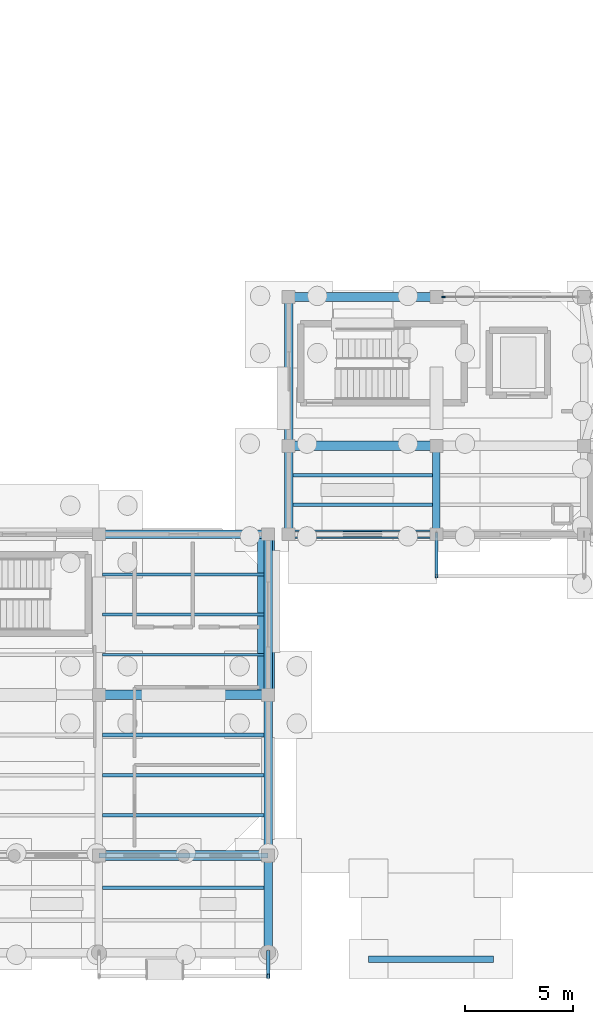
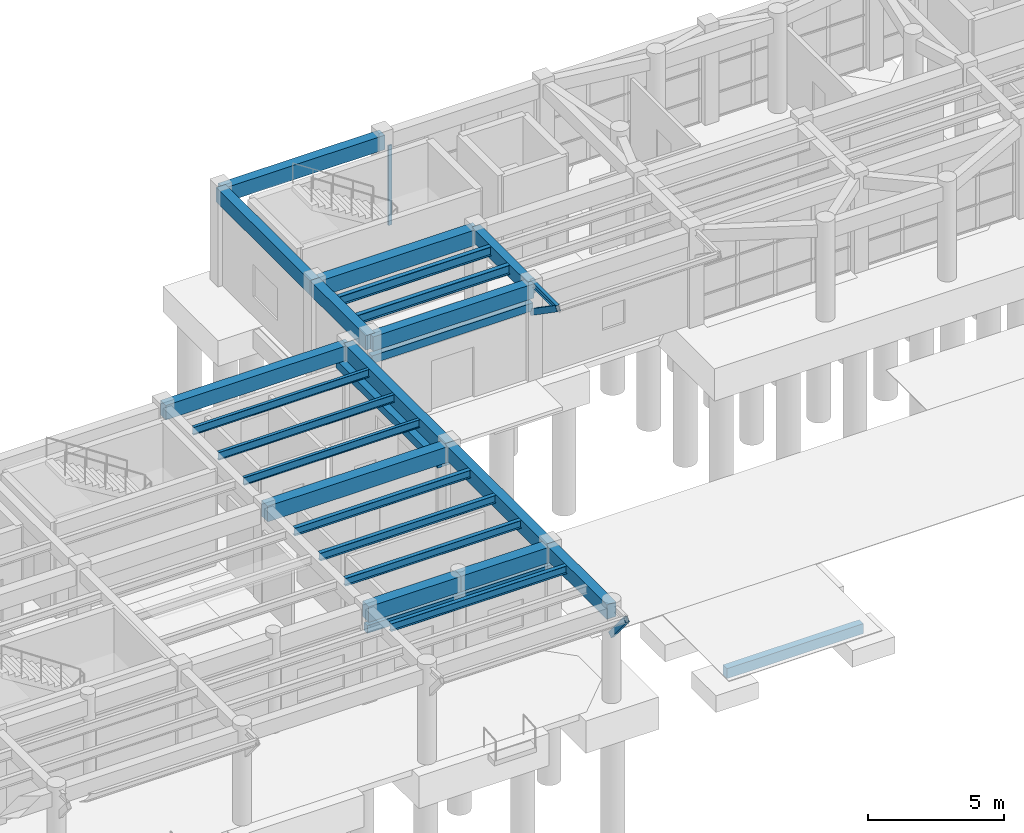
# One storey, part 9 of 41: 27 beams, 3 members, 1 element without a shape of its own.
"""IFC4 building model written with IfcOpenShell, lengths in metres."""

import ifcopenshell
import ifcopenshell.guid

model = None  # the IFC model being written
_history = None  # IfcOwnerHistory: only IFC2X3 demands one
_inside = {}  # id of a spatial element -> (the spatial element, [elements in it])
_under = {}  # id of a project, library or spatial element -> (it, [spatial elements below it])
_declared = {}  # id of a project -> (the project, [libraries it declares])
_typed = {}  # id of a type object -> (the type object, [elements of that type])
_made_of = {}  # id of a material, layer set ... -> (it, [elements and type objects made of it])


def new_model(schema):
    """Start an empty IFC model of exactly this schema.

    Asked for "IFC4X3", IfcOpenShell would pick the latest addendum, in which some entities
    have other attributes; the version numbers below select the first issue.
    IFC2X3 requires an IfcOwnerHistory on every rooted entity: one is made here for all.
    """
    global model, _history
    if schema == "IFC4X3":
        model = ifcopenshell.file(schema_version=(4, 3, 0, 0))
    else:
        model = ifcopenshell.file(schema=schema)
    _inside.clear()
    _under.clear()
    _declared.clear()
    _typed.clear()
    _made_of.clear()
    _history = None
    if model.schema == "IFC2X3":
        org = make("IfcOrganization", Name="unknown")
        user = make(
            "IfcPersonAndOrganization",
            ThePerson=make("IfcPerson", FamilyName="unknown"),
            TheOrganization=org,
        )
        app = make(
            "IfcApplication",
            ApplicationDeveloper=org,
            Version="unknown",
            ApplicationFullName="unknown",
            ApplicationIdentifier="unknown",
        )
        _history = make(
            "IfcOwnerHistory",
            OwningUser=user,
            OwningApplication=app,
            ChangeAction="ADDED",
            CreationDate=0,
        )
    return model


def make(cls, **values):
    """One entity of the class cls with the attributes given. An attribute that is None is left unset."""
    return model.create_entity(
        cls, **{name: value for name, value in values.items() if value is not None}
    )


def rooted(cls, **values):
    """An entity with a GlobalId (a new one), such as an element, a storey or a relation."""
    return make(cls, GlobalId=ifcopenshell.guid.new(), OwnerHistory=_history, **values)


def si_unit(unit_type, name, prefix=None):
    """IfcSIUnit, for example si_unit("LENGTHUNIT", "METRE", prefix="MILLI")."""
    return make("IfcSIUnit", UnitType=unit_type, Prefix=prefix, Name=name)


def assignment(units):
    """IfcUnitAssignment: the units of a project."""
    return None if units is None else make("IfcUnitAssignment", Units=units)


def point(xyz):
    """IfcCartesianPoint."""
    return None if xyz is None else make("IfcCartesianPoint", Coordinates=xyz)


def direction(xyz):
    """IfcDirection."""
    return None if xyz is None else make("IfcDirection", DirectionRatios=xyz)


def frame(location, z_axis=None, x_axis=None):
    """IfcAxis2Placement3D, a coordinate frame: its origin and axes. An axis left out is left unset."""
    return make(
        "IfcAxis2Placement3D",
        Location=point(location),
        Axis=direction(z_axis),
        RefDirection=direction(x_axis),
    )


def frame_2d(location, x_axis=None):
    """IfcAxis2Placement2D, a coordinate frame in the plane: its origin and x axis."""
    return make(
        "IfcAxis2Placement2D", Location=point(location), RefDirection=direction(x_axis)
    )


def origin():
    """The frame at (0, 0, 0) with its axes left unset."""
    return frame((0.0, 0.0, 0.0))


def origin_2d():
    """The frame at (0, 0) in the plane with its x axis left unset."""
    return frame_2d((0.0, 0.0))


def place(relative_to, where):
    """IfcLocalPlacement: puts the frame where relative to a parent placement (None: the world)."""
    return make(
        "IfcLocalPlacement", PlacementRelTo=relative_to, RelativePlacement=where
    )


def context(
    kind, dimensions, precision=None, world=None, true_north=None, identifier=None
):
    """IfcGeometricRepresentationContext, for example the 3D "Model" context."""
    return make(
        "IfcGeometricRepresentationContext",
        ContextIdentifier=identifier,
        ContextType=kind,
        CoordinateSpaceDimension=dimensions,
        Precision=precision,
        WorldCoordinateSystem=world,
        TrueNorth=true_north,
    )


def subcontext(parent, identifier, kind, view, scale=None):
    """IfcGeometricRepresentationSubContext, for example "Body" below "Model"."""
    return make(
        "IfcGeometricRepresentationSubContext",
        ContextIdentifier=identifier,
        ContextType=kind,
        ParentContext=parent,
        TargetScale=scale,
        TargetView=view,
    )


def project(units=None, contexts=None):
    """IfcProject with its units and contexts."""
    return rooted(
        "IfcProject",
        Name="project",
        RepresentationContexts=contexts,
        UnitsInContext=assignment(units),
    )


def spatial(cls, under=None, at=None, **own):
    """A site, building, storey or space (cls), placed at a placement, below another one or the project."""
    s = rooted(cls, ObjectPlacement=at, **own)
    if under is not None:
        _under.setdefault(under.id(), (under, []))[1].append(s)
    return s


def profile(cls, at=None, kind="AREA", **sizes):
    """A parametric profile (cls). Its sizes go by their IFC names, for example OverallWidth=200.0."""
    return make(cls, ProfileType=kind, Position=at, **sizes)


def rectangle(**sizes):
    """IfcRectangleProfileDef."""
    return profile("IfcRectangleProfileDef", **sizes)


def hollow_rectangle(**sizes):
    """IfcRectangleHollowProfileDef."""
    return profile("IfcRectangleHollowProfileDef", **sizes)


def i_section(**sizes):
    """IfcIShapeProfileDef."""
    return profile("IfcIShapeProfileDef", **sizes)


def extrude(swept, where, along, depth):
    """IfcExtrudedAreaSolid: the profile swept, set in the frame where, extruded along a direction by depth."""
    return make(
        "IfcExtrudedAreaSolid",
        SweptArea=swept,
        Position=where,
        ExtrudedDirection=direction(along),
        Depth=depth,
    )


def shape(context_of_items, identifier, shape_type, items):
    """IfcShapeRepresentation: the items that make up one representation, for example the "Body"."""
    return make(
        "IfcShapeRepresentation",
        ContextOfItems=context_of_items,
        RepresentationIdentifier=identifier,
        RepresentationType=shape_type,
        Items=items,
    )


def material(Name=None, Category=None):
    """IfcMaterial."""
    return make("IfcMaterial", Name=Name, Category=Category)


def layer(
    of_material, thickness, ventilated=None, Name=None, Category=None, Priority=None
):
    """IfcMaterialLayer: one layer of a wall or slab, of a material (None: an air gap)."""
    return make(
        "IfcMaterialLayer",
        Material=of_material,
        LayerThickness=thickness,
        IsVentilated=ventilated,
        Name=Name,
        Category=Category,
        Priority=Priority,
    )


def layer_set(layers, Name=None):
    """IfcMaterialLayerSet."""
    return make("IfcMaterialLayerSet", MaterialLayers=layers, LayerSetName=Name)


def material_profile(
    of_material, cross_section, Name=None, Category=None, Priority=None
):
    """IfcMaterialProfile: a cross section and its material."""
    return make(
        "IfcMaterialProfile",
        Name=Name,
        Material=of_material,
        Profile=cross_section,
        Priority=Priority,
        Category=Category,
    )


def profile_set(profiles, Name=None, composite=None):
    """IfcMaterialProfileSet."""
    return make(
        "IfcMaterialProfileSet",
        Name=Name,
        MaterialProfiles=profiles,
        CompositeProfile=composite,
    )


def made_of(thing, what):
    """Note that an element or type object is made of a material, layer set ...; save() writes the relation."""
    if what is not None:
        _made_of.setdefault(what.id(), (what, []))[1].append(thing)
    return thing


def type_object(cls, material=None, **own):
    """A type object (cls), such as IfcWallType, which elements share."""
    return made_of(rooted(cls, **own), material)


def element(
    cls,
    number,
    at=None,
    inside=None,
    cuts=None,
    type_object=None,
    material=None,
    context=None,
    identifier="Body",
    shape_type=None,
    held_by="IfcProductDefinitionShape",
    body=None,
    shapes=None,
    **own,
):
    """One element of the class cls, such as IfcWall. Its Tag is "e" and its number.

    at: its placement. inside: the storey or other place that contains it. cuts: it is an
    opening in that element (IfcRelVoidsElement). A single representation is given by context,
    identifier, shape_type and body (its items); several are given by shapes. held_by: the class
    of the entity that holds the representations. save() writes the other relations.
    """
    e = rooted(cls, Tag="e%d" % number, ObjectPlacement=at, **own)
    if body is not None:
        shapes = [shape(context, identifier, shape_type, body)]
    if shapes is not None:
        e.Representation = make(held_by, Representations=shapes)
    if inside is not None:
        _inside.setdefault(inside.id(), (inside, []))[1].append(e)
    if cuts is not None:
        rooted(
            "IfcRelVoidsElement", RelatingBuildingElement=cuts, RelatedOpeningElement=e
        )
    if type_object is not None:
        _typed.setdefault(type_object.id(), (type_object, []))[1].append(e)
    return made_of(e, material)


def aggregate(whole, parts):
    """IfcRelAggregates: a whole, such as a stair, and the parts it consists of."""
    return rooted("IfcRelAggregates", RelatingObject=whole, RelatedObjects=parts)


def save(model, path):
    """Write the relations noted so far, then the file.

    IfcRelAggregates (storeys below a building ...), IfcRelContainedInSpatialStructure (elements
    in a storey), IfcRelDefinesByType, IfcRelAssociatesMaterial and IfcRelDeclares: one each for
    every whole, place, type object, material and project.
    """
    for whole, parts in _under.values():
        aggregate(whole, parts)
    for where, things in _inside.values():
        rooted(
            "IfcRelContainedInSpatialStructure",
            RelatedElements=things,
            RelatingStructure=where,
        )
    for kind, things in _typed.values():
        rooted("IfcRelDefinesByType", RelatedObjects=things, RelatingType=kind)
    for what, things in _made_of.values():
        rooted("IfcRelAssociatesMaterial", RelatedObjects=things, RelatingMaterial=what)
    for by, libraries in _declared.values():
        rooted("IfcRelDeclares", RelatingContext=by, RelatedDefinitions=libraries)
    model.write(path)


model = new_model("IFC4")

# Units and contexts
model_context = context("Model", 3, precision=1e-05, world=origin(), true_north=direction((0.0, 1.0)))
body_context = subcontext(model_context, "Body", "Model", "MODEL_VIEW")
ifc_project = project(units=[si_unit("LENGTHUNIT", "METRE"), si_unit("AREAUNIT", "SQUARE_METRE"), si_unit("VOLUMEUNIT", "CUBIC_METRE"), si_unit("PLANEANGLEUNIT", "RADIAN"), si_unit("MASSUNIT", "GRAM", prefix="KILO")], contexts=[model_context])

# Site, building, storey
site_placement = place(None, origin())
site = spatial("IfcSite", under=ifc_project, at=site_placement, CompositionType="ELEMENT")
building_placement = place(site_placement, origin())
building = spatial("IfcBuilding", under=site, at=building_placement, Name="Candilejo Ridge Gondola Terminal", CompositionType="ELEMENT")
storey_placement = place(building_placement, origin())
storey = spatial("IfcBuildingStorey", under=building, at=storey_placement, Name="L00", CompositionType="ELEMENT", Elevation=0.0)

# Curtain wall, member
ifc_material_1 = material(Name="Anodised aluminium AA 6063-T6", Category="aluminium")
ifc_layer = layer(ifc_material_1, 0.169921875)
ifc_layer_set = layer_set([ifc_layer], Name="ARC-CW-DRUM-3400-625X359")
curtain_wall_type = type_object("IfcCurtainWallType", Name="ARC-CW-DRUM-3400-625X359", PredefinedType="NOTDEFINED", material=ifc_layer_set)
curtain_wall_placement = place(storey_placement, origin())
curtain_wall = element("IfcCurtainWall", 1, at=curtain_wall_placement, inside=storey, type_object=curtain_wall_type, Name="Curtain wall V2 L00-028", PredefinedType="NOTDEFINED")
ifc_material_2 = material(Name="Anodised aluminium AA 6063-T6", Category="aluminium")
ifc_material_profile_1 = material_profile(ifc_material_2, rectangle(XDim=0.06494140625, YDim=0.14990234375, at=origin_2d()))
ifc_profile_set_1 = profile_set([ifc_material_profile_1], Name="Anodised aluminium AA 6063-T6")
member_type_1 = type_object("IfcMemberType", Name="ARC-CW-MULLION-150", PredefinedType="MULLION", material=ifc_profile_set_1)
member_1_placement = place(storey_placement, frame((51.83251953125, 36.699951171875, 0.0), z_axis=(0.0, 0.0, 1.0), x_axis=(0.0, 1.0, 0.0)))
member_1 = element("IfcMember", 2, at=member_1_placement, type_object=member_type_1, Name="CW-62X35 mullion 1", PredefinedType="MULLION", context=body_context, shape_type="SweptSolid", body=[
    extrude(rectangle(XDim=0.06494140625, YDim=0.14990234375, at=origin_2d()), origin(), (0.0, 0.0, 1.0), 3.590087890625),
])
aggregate(curtain_wall, [member_1])

# Beams
ifc_material_3 = material(Name="Concrete f'c 35 MPa (C35/45)", Category="concrete")
ifc_material_profile_2 = material_profile(ifc_material_3, rectangle(XDim=0.300048828125, YDim=0.449951171875, at=origin_2d()))
ifc_profile_set_2 = profile_set([ifc_material_profile_2], Name="Concrete f'c 35 MPa (C35/45)")
beam_type_1 = type_object("IfcBeamType", Name="STR-BM-RC300X450", PredefinedType="BEAM", material=ifc_profile_set_2)
beam_1_placement = place(storey_placement, frame((48.35009765625, 6.0, -0.2548828125), z_axis=(1.0, 0.0, 0.0), x_axis=(0.0, 1.0, 0.0)))
element("IfcBeam", 3, at=beam_1_placement, inside=storey, type_object=beam_type_1, Name="Walkway edge beam SW-TAB", PredefinedType="BEAM", context=body_context, shape_type="SweptSolid", body=[
    extrude(rectangle(XDim=0.300048828125, YDim=0.449951171875, at=origin_2d()), origin(), (0.0, 0.0, 1.0), 5.7998046875),
])
ifc_material_4 = material(Name="Concrete f'c 35 MPa (C35/45)", Category="concrete")
ifc_material_profile_3 = material_profile(ifc_material_4, rectangle(XDim=0.35009765625, YDim=0.60009765625, at=origin_2d()))
ifc_profile_set_3 = profile_set([ifc_material_profile_3], Name="Concrete f'c 35 MPa (C35/45)")
beam_type_2 = type_object("IfcBeamType", Name="STR-BM-RC350X600", PredefinedType="BEAM", material=ifc_profile_set_3)
beam_2_placement = place(storey_placement, frame((51.5, 25.699951171875, 3.9599609375), z_axis=(0.0, 1.0, 0.0), x_axis=(-1.0, 0.0, 0.0)))
element("IfcBeam", 4, at=beam_2_placement, inside=storey, type_object=beam_type_2, Name="Beam Y V2 L00 Y05-Y06@X08", PredefinedType="BEAM", context=body_context, shape_type="SweptSolid", body=[
    extrude(rectangle(XDim=0.35009765625, YDim=0.60009765625, at=origin_2d()), origin(), (0.0, 0.0, 1.0), 4.10009765625),
])
ifc_material_5 = material(Name="Concrete f'c 35 MPa (C35/45)", Category="concrete")
ifc_material_profile_4 = material_profile(ifc_material_5, rectangle(XDim=0.449951171875, YDim=0.699951171875, at=origin_2d()))
ifc_profile_set_4 = profile_set([ifc_material_profile_4], Name="Concrete f'c 35 MPa (C35/45)")
beam_type_3 = type_object("IfcBeamType", Name="STR-BM-RC450X700", PredefinedType="BEAM", material=ifc_profile_set_4)
beam_3_placement = place(storey_placement, frame((35.85009765625, 10.800048828125, 3.909912109375), z_axis=(1.0, 0.0, 0.0), x_axis=(0.0, 1.0, 0.0)))
element("IfcBeam", 5, at=beam_3_placement, inside=storey, type_object=beam_type_3, Name="Beam X V1 L00 X05-X06@Y02", PredefinedType="BEAM", context=body_context, shape_type="SweptSolid", body=[
    extrude(rectangle(XDim=0.449951171875, YDim=0.699951171875, at=origin_2d()), origin(), (0.0, 0.0, 1.0), 3.929931640625),
])
beam_4_placement = place(storey_placement, frame((39.780029296875, 10.800048828125, 3.909912109375), z_axis=(1.0, 0.0, 0.0), x_axis=(0.0, 1.0, 0.0)))
element("IfcBeam", 6, at=beam_4_placement, inside=storey, type_object=beam_type_3, Name="Beam X V1 L00 X05-X06@Y02", PredefinedType="BEAM", context=body_context, shape_type="SweptSolid", body=[
    extrude(rectangle(XDim=0.449951171875, YDim=0.699951171875, at=origin_2d()), origin(), (0.0, 0.0, 1.0), 3.919921875),
])
beam_5_placement = place(storey_placement, frame((35.85009765625, 18.25, 3.909912109375), z_axis=(1.0, 0.0, 0.0), x_axis=(0.0, 1.0, 0.0)))
element("IfcBeam", 7, at=beam_5_placement, inside=storey, type_object=beam_type_3, Name="Beam X V1 L00 X05-X06@Y03", PredefinedType="BEAM", context=body_context, shape_type="SweptSolid", body=[
    extrude(rectangle(XDim=0.449951171875, YDim=0.699951171875, at=origin_2d()), origin(), (0.0, 0.0, 1.0), 7.849853515625),
])
beam_6_placement = place(storey_placement, frame((44.64990234375, 29.800048828125, 3.909912109375), z_axis=(1.0, 0.0, 0.0), x_axis=(0.0, 1.0, 0.0)))
element("IfcBeam", 8, at=beam_6_placement, inside=storey, type_object=beam_type_3, Name="Beam X V2 L00 X07-X08@Y06", PredefinedType="BEAM", context=body_context, shape_type="SweptSolid", body=[
    extrude(rectangle(XDim=0.449951171875, YDim=0.699951171875, at=origin_2d()), origin(), (0.0, 0.0, 1.0), 6.85009765625),
])
ifc_material_6 = material(Name="Concrete f'c 35 MPa (C35/45)", Category="concrete")
ifc_material_profile_5 = material_profile(ifc_material_6, rectangle(XDim=0.800048828125, YDim=0.35009765625, at=origin_2d()))
ifc_profile_set_5 = profile_set([ifc_material_profile_5], Name="Concrete f'c 35 MPa (C35/45)")
beam_type_4 = type_object("IfcBeamType", Name="STR-CRB-RC800X350", PredefinedType="SPANDREL", material=ifc_profile_set_5)
beam_7_placement = place(storey_placement, frame((43.60009765625, 18.25, 3.43505859375), z_axis=(0.0, 1.0, 0.0), x_axis=(-1.0, 0.0, 0.0)))
element("IfcBeam", 9, at=beam_7_placement, inside=storey, type_object=beam_type_4, Name="Seismic bridge 800 mm RC corbel seat LB-SJ1-L01", PredefinedType="SPANDREL", context=body_context, shape_type="SweptSolid", body=[
    extrude(rectangle(XDim=0.800048828125, YDim=0.35009765625, at=origin_2d()), origin(), (0.0, 0.0, 1.0), 7.449951171875),
])
ifc_material_7 = material(Name="Steel ASTM A992 Grade 50", Category="steel")
ifc_material_profile_6 = material_profile(ifc_material_7, i_section(OverallWidth=0.14599609375, OverallDepth=0.258056640625, WebThickness=0.006103515625, FlangeThickness=0.009033203125, at=origin_2d()))
ifc_profile_set_6 = profile_set([ifc_material_profile_6], Name="Steel ASTM A992 Grade 50")
beam_type_5 = type_object("IfcBeamType", Name="STR-JST-W250X33", PredefinedType="JOIST", material=ifc_profile_set_6)
beam_8_placement = place(storey_placement, frame((51.5, 23.75, 4.220947265625), z_axis=(0.0, 1.0, 0.0), x_axis=(-1.0, 0.0, 0.0)))
element("IfcBeam", 10, at=beam_8_placement, inside=storey, type_object=beam_type_5, Name="Canopy bracket arm CN-V2-S-1", PredefinedType="JOIST", context=body_context, shape_type="SweptSolid", body=[
    extrude(i_section(OverallWidth=0.14599609375, OverallDepth=0.258056640625, WebThickness=0.006103515625, FlangeThickness=0.009033203125, at=origin_2d()), origin(), (0.0, 0.0, 1.0), 1.949951171875),
])
ifc_material_8 = material(Name="Steel ASTM A992 Grade 50", Category="steel")
ifc_material_profile_7 = material_profile(ifc_material_8, i_section(OverallWidth=0.1279296875, OverallDepth=0.35302734375, WebThickness=0.006591796875, FlangeThickness=0.0107421875, at=origin_2d()))
ifc_profile_set_7 = profile_set([ifc_material_profile_7], Name="Steel ASTM A992 Grade 50")
beam_type_6 = type_object("IfcBeamType", Name="STR-JST-W360X39", PredefinedType="JOIST", material=ifc_profile_set_7)
for number, where, z_axis, x_axis, name in (
    (11, (36.02490234375, 20.112548828125, 4.08349609375), (1.0, 0.0, 0.0), (0.0, 1.0, 0.0), "Composite joist V1 L00-0071"),
    (12, (36.02490234375, 21.97509765625, 4.08349609375), (1.0, 0.0, 0.0), (0.0, 1.0, 0.0), "Composite joist V1 L00-0072"),
    (13, (36.02490234375, 23.83740234375, 4.08349609375), (1.0, 0.0, 0.0), (0.0, 1.0, 0.0), "Composite joist V1 L00-0073"),
):
    element("IfcBeam", number, at=place(storey_placement, frame(where, z_axis=z_axis, x_axis=x_axis)), inside=storey, type_object=beam_type_6, Name=name, PredefinedType="JOIST", context=body_context, shape_type="SweptSolid", body=[
        extrude(i_section(OverallWidth=0.1279296875, OverallDepth=0.35302734375, WebThickness=0.006591796875, FlangeThickness=0.0107421875, at=origin_2d()), origin(), (0.0, 0.0, 1.0), 7.47509765625),
    ])
ifc_material_9 = material(Name="Steel ASTM A992 Grade 50", Category="steel")
ifc_material_profile_8 = material_profile(ifc_material_9, i_section(OverallWidth=0.1708984375, OverallDepth=0.35205078125, WebThickness=0.0068359375, FlangeThickness=0.009765625, at=origin_2d()))
ifc_profile_set_8 = profile_set([ifc_material_profile_8], Name="Steel ASTM A992 Grade 50")
beam_type_7 = type_object("IfcBeamType", Name="STR-JST-W360X44", PredefinedType="JOIST", material=ifc_profile_set_8)
for number, where, z_axis, x_axis, name in (
    (14, (36.02490234375, 12.66259765625, 4.083984375), (1.0, 0.0, 0.0), (0.0, 1.0, 0.0), "Composite joist V1 L00-0068"),
    (15, (36.02490234375, 14.52490234375, 4.083984375), (1.0, 0.0, 0.0), (0.0, 1.0, 0.0), "Composite joist V1 L00-0069"),
    (16, (36.02490234375, 16.387451171875, 4.083984375), (1.0, 0.0, 0.0), (0.0, 1.0, 0.0), "Composite joist V1 L00-0070"),
):
    element("IfcBeam", number, at=place(storey_placement, frame(where, z_axis=z_axis, x_axis=x_axis)), inside=storey, type_object=beam_type_7, Name=name, PredefinedType="JOIST", context=body_context, shape_type="SweptSolid", body=[
        extrude(i_section(OverallWidth=0.1708984375, OverallDepth=0.35205078125, WebThickness=0.0068359375, FlangeThickness=0.009765625, at=origin_2d()), origin(), (0.0, 0.0, 1.0), 7.47509765625),
    ])
ifc_material_10 = material(Name="Steel ASTM A992 Grade 50", Category="steel")
ifc_material_profile_9 = material_profile(ifc_material_10, i_section(OverallWidth=0.1708984375, OverallDepth=0.35498046875, WebThickness=0.007080078125, FlangeThickness=0.01171875, at=origin_2d()))
ifc_profile_set_9 = profile_set([ifc_material_profile_9], Name="Steel ASTM A992 Grade 50")
beam_type_8 = type_object("IfcBeamType", Name="STR-JST-W360X51", PredefinedType="JOIST", material=ifc_profile_set_9)
beam_9_placement = place(storey_placement, frame((36.02490234375, 9.300048828125, 4.08251953125), z_axis=(1.0, 0.0, 0.0), x_axis=(0.0, 1.0, 0.0)))
element("IfcBeam", 17, at=beam_9_placement, inside=storey, type_object=beam_type_8, Name="Composite joist V1 L00-0067", PredefinedType="JOIST", context=body_context, shape_type="SweptSolid", body=[
    extrude(i_section(OverallWidth=0.1708984375, OverallDepth=0.35498046875, WebThickness=0.007080078125, FlangeThickness=0.01171875, at=origin_2d()), origin(), (0.0, 0.0, 1.0), 7.47509765625),
])
ifc_material_11 = material(Name="Steel ASTM A992 Grade 50", Category="steel")
ifc_material_profile_10 = material_profile(ifc_material_11, i_section(OverallWidth=0.180908203125, OverallDepth=0.4169921875, WebThickness=0.010986328125, FlangeThickness=0.018310546875, at=origin_2d()))
ifc_profile_set_10 = profile_set([ifc_material_profile_10], Name="Steel ASTM A992 Grade 50")
beam_type_9 = type_object("IfcBeamType", Name="STR-JST-W410X85", PredefinedType="JOIST", material=ifc_profile_set_10)
for number, where, z_axis, x_axis, name in (
    (18, (44.85009765625, 27.066650390625, 4.051513671875), (1.0, 0.0, 0.0), (0.0, 1.0, 0.0), "Composite joist V2 L00-0198"),
    (19, (44.85009765625, 28.433349609375, 4.051513671875), (1.0, 0.0, 0.0), (0.0, 1.0, 0.0), "Composite joist V2 L00-0199"),
):
    element("IfcBeam", number, at=place(storey_placement, frame(where, z_axis=z_axis, x_axis=x_axis)), inside=storey, type_object=beam_type_9, Name=name, PredefinedType="JOIST", context=body_context, shape_type="SweptSolid", body=[
        extrude(i_section(OverallWidth=0.180908203125, OverallDepth=0.4169921875, WebThickness=0.010986328125, FlangeThickness=0.018310546875, at=origin_2d()), origin(), (0.0, 0.0, 1.0), 6.474853515625),
    ])
ifc_material_12 = material(Name="Concrete f'c 35 MPa (C35/45)", Category="concrete")
ifc_material_profile_11 = material_profile(ifc_material_12, rectangle(XDim=0.25, YDim=0.35009765625, at=origin_2d()))
ifc_profile_set_11 = profile_set([ifc_material_profile_11], Name="Concrete f'c 35 MPa (C35/45)")
beam_type_10 = type_object("IfcBeamType", Name="STR-LNT-RC250X350", PredefinedType="LINTEL", material=ifc_profile_set_11)
beam_10_placement = place(storey_placement, frame((35.85009765625, 10.800048828125, 3.179931640625), z_axis=(1.0, 0.0, 0.0), x_axis=(0.0, 1.0, 0.0)))
element("IfcBeam", 20, at=beam_10_placement, inside=storey, type_object=beam_type_10, Name="Opening lintel L00-05", PredefinedType="LINTEL", context=body_context, shape_type="SweptSolid", body=[
    extrude(rectangle(XDim=0.25, YDim=0.35009765625, at=origin_2d()), origin(), (0.0, 0.0, 1.0), 7.849853515625),
])
beam_11_placement = place(storey_placement, frame((44.64990234375, 25.699951171875, 3.179931640625), z_axis=(1.0, 0.0, 0.0), x_axis=(0.0, 1.0, 0.0)))
element("IfcBeam", 21, at=beam_11_placement, inside=storey, type_object=beam_type_10, Name="Opening lintel L00-06", PredefinedType="LINTEL", context=body_context, shape_type="SweptSolid", body=[
    extrude(rectangle(XDim=0.25, YDim=0.35009765625, at=origin_2d()), origin(), (0.0, 0.0, 1.0), 6.85009765625),
])
ifc_material_13 = material(Name="Concrete f'c 35 MPa (C35/45)", Category="concrete")
ifc_material_profile_12 = material_profile(ifc_material_13, rectangle(XDim=0.39990234375, YDim=0.64990234375, at=origin_2d()))
ifc_profile_set_12 = profile_set([ifc_material_profile_12], Name="Concrete f'c 35 MPa (C35/45)")
beam_type_11 = type_object("IfcBeamType", Name="STR-SPN-RC400X650", PredefinedType="SPANDREL", material=ifc_profile_set_12)
beam_12_placement = place(storey_placement, frame((35.85009765625, 25.699951171875, 3.93505859375), z_axis=(1.0, 0.0, 0.0), x_axis=(0.0, 1.0, 0.0)))
element("IfcBeam", 22, at=beam_12_placement, inside=storey, type_object=beam_type_11, Name="Beam X V1 L00 X05-X06@Y05", PredefinedType="SPANDREL", context=body_context, shape_type="SweptSolid", body=[
    extrude(rectangle(XDim=0.39990234375, YDim=0.64990234375, at=origin_2d()), origin(), (0.0, 0.0, 1.0), 7.849853515625),
])
beam_13_placement = place(storey_placement, frame((43.699951171875, 6.300048828125, 3.93505859375), z_axis=(0.0, 1.0, 0.0), x_axis=(-1.0, 0.0, 0.0)))
element("IfcBeam", 23, at=beam_13_placement, inside=storey, type_object=beam_type_11, Name="Beam Y V1 L00 Y01-Y02@X06", PredefinedType="SPANDREL", context=body_context, shape_type="SweptSolid", body=[
    extrude(rectangle(XDim=0.39990234375, YDim=0.64990234375, at=origin_2d()), origin(), (0.0, 0.0, 1.0), 4.5),
])
for number, where, z_axis, x_axis, name in (
    (24, (43.699951171875, 10.800048828125, 3.93505859375), (0.0, 1.0, 0.0), (-1.0, 0.0, 0.0), "Beam Y V1 L00 Y02-Y03@X06"),
    (25, (43.699951171875, 18.25, 3.93505859375), (0.0, 1.0, 0.0), (-1.0, 0.0, 0.0), "Beam Y V1 L00 Y03-Y05@X06"),
):
    element("IfcBeam", number, at=place(storey_placement, frame(where, z_axis=z_axis, x_axis=x_axis)), inside=storey, type_object=beam_type_11, Name=name, PredefinedType="SPANDREL", context=body_context, shape_type="SweptSolid", body=[
        extrude(rectangle(XDim=0.39990234375, YDim=0.64990234375, at=origin_2d()), origin(), (0.0, 0.0, 1.0), 7.449951171875),
    ])
for number, where, z_axis, x_axis, name in (
    (26, (44.64990234375, 25.699951171875, 3.93505859375), (1.0, 0.0, 0.0), (0.0, 1.0, 0.0), "Beam X V2 L00 X07-X08@Y05"),
    (27, (44.64990234375, 36.699951171875, 3.93505859375), (1.0, 0.0, 0.0), (0.0, 1.0, 0.0), "Beam X V2 L00 X07-X08@Y07"),
):
    element("IfcBeam", number, at=place(storey_placement, frame(where, z_axis=z_axis, x_axis=x_axis)), inside=storey, type_object=beam_type_11, Name=name, PredefinedType="SPANDREL", context=body_context, shape_type="SweptSolid", body=[
        extrude(rectangle(XDim=0.39990234375, YDim=0.64990234375, at=origin_2d()), origin(), (0.0, 0.0, 1.0), 6.85009765625),
    ])
beam_14_placement = place(storey_placement, frame((44.64990234375, 25.699951171875, 3.93505859375), z_axis=(0.0, 1.0, 0.0), x_axis=(-1.0, 0.0, 0.0)))
element("IfcBeam", 28, at=beam_14_placement, inside=storey, type_object=beam_type_11, Name="Beam Y V2 L00 Y05-Y06@X07", PredefinedType="SPANDREL", context=body_context, shape_type="SweptSolid", body=[
    extrude(rectangle(XDim=0.39990234375, YDim=0.64990234375, at=origin_2d()), origin(), (0.0, 0.0, 1.0), 4.10009765625),
])
beam_15_placement = place(storey_placement, frame((44.64990234375, 29.800048828125, 3.93505859375), z_axis=(0.0, 1.0, 0.0), x_axis=(-1.0, 0.0, 0.0)))
element("IfcBeam", 29, at=beam_15_placement, inside=storey, type_object=beam_type_11, Name="Beam Y V2 L00 Y06-Y07@X07", PredefinedType="SPANDREL", context=body_context, shape_type="SweptSolid", body=[
    extrude(rectangle(XDim=0.39990234375, YDim=0.64990234375, at=origin_2d()), origin(), (0.0, 0.0, 1.0), 6.89990234375),
])

# Members
ifc_material_14 = material(Name="Steel ASTM A500 Grade C", Category="steel")
ifc_material_profile_13 = material_profile(ifc_material_14, hollow_rectangle(XDim=0.14990234375, YDim=0.25, WallThickness=0.008056640625, at=origin_2d()))
ifc_profile_set_13 = profile_set([ifc_material_profile_13], Name="Steel ASTM A500 Grade C")
member_type_2 = type_object("IfcMemberType", Name="STR-STR-HSS250X150", PredefinedType="STRUT", material=ifc_profile_set_13)
member_2_placement = place(storey_placement, frame((43.699951171875, 6.300048828125, 2.87109375), z_axis=(0.0, -0.631747845622, 0.775173954382), x_axis=(1.0, 0.0, 0.0)))
element("IfcMember", 30, at=member_2_placement, inside=storey, type_object=member_type_2, Name="Canopy raking strut CN-V1-E-2", PredefinedType="STRUT", context=body_context, shape_type="SweptSolid", body=[
    extrude(hollow_rectangle(XDim=0.14990234375, YDim=0.25, WallThickness=0.008056640625, at=origin_2d()), origin(), (0.0, 0.0, 1.0), 1.741455078125),
])
member_3_placement = place(storey_placement, frame((51.5, 25.699951171875, 2.87109375), z_axis=(0.0, -0.822214426939, 0.569177859841), x_axis=(1.0, 0.0, 0.0)))
element("IfcMember", 31, at=member_3_placement, inside=storey, type_object=member_type_2, Name="Canopy raking strut CN-V2-S-1", PredefinedType="STRUT", context=body_context, shape_type="SweptSolid", body=[
    extrude(hollow_rectangle(XDim=0.14990234375, YDim=0.25, WallThickness=0.008056640625, at=origin_2d()), origin(), (0.0, 0.0, 1.0), 2.37158203125),
])

save(model, "model.ifc")
